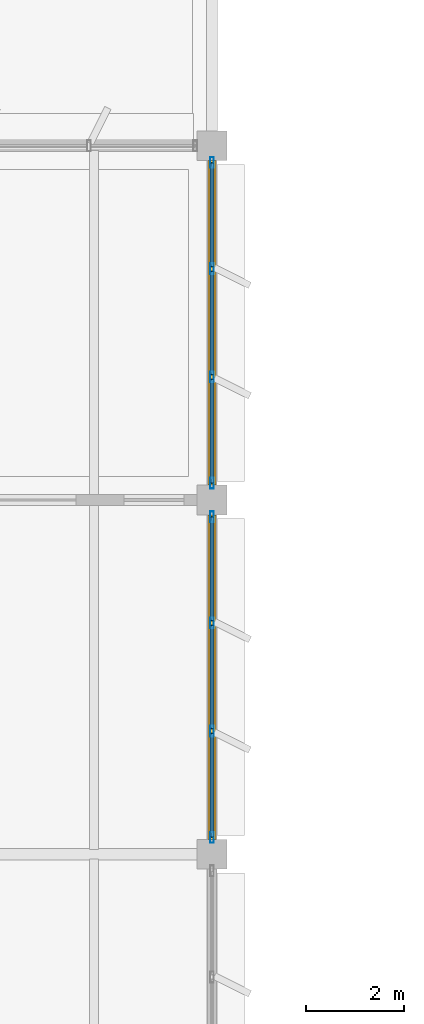
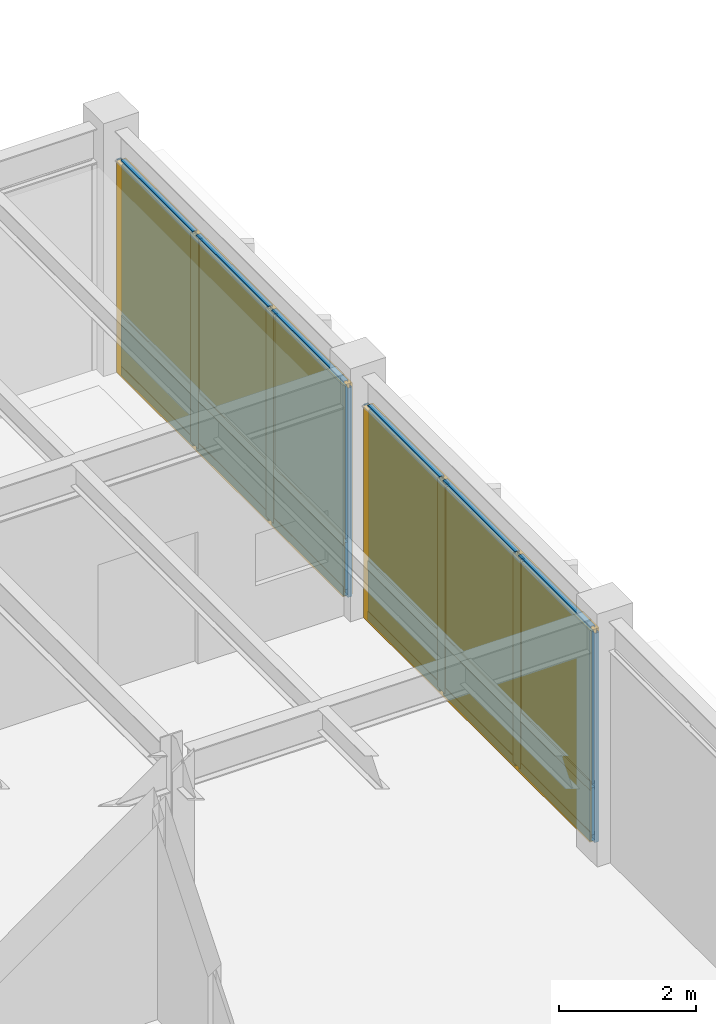
# One storey, part 74 of 92: 26 members, 12 plates, 2 curtain walls.
"""IFC4 building model written with IfcOpenShell, lengths in metres."""

from ifc_helpers import new_model, si_unit, direction, frame, origin, origin_2d, place, context, subcontext, project, spatial, rectangle, hollow_rectangle, extrude, material, layer, layer_set, material_profile, profile_set, type_object, element, aggregate, save


model = new_model("IFC4")

# Units and contexts
model_context = context("Model", 3, precision=1e-05, world=origin(), true_north=direction((0.0, 1.0)))
body_context = subcontext(model_context, "Body", "Model", "MODEL_VIEW")
ifc_project = project(units=[si_unit("LENGTHUNIT", "METRE"), si_unit("AREAUNIT", "SQUARE_METRE"), si_unit("VOLUMEUNIT", "CUBIC_METRE"), si_unit("PLANEANGLEUNIT", "RADIAN"), si_unit("MASSUNIT", "GRAM", prefix="KILO")], contexts=[model_context])

# Member
ifc_material_1 = material(Name="Anodized Aluminium 6063-T6", Category="aluminium")
ifc_material_profile_1 = material_profile(ifc_material_1, hollow_rectangle(XDim=0.074951171875, YDim=0.219970703125, WallThickness=0.0048828125, at=origin_2d()), Name="ALU 75x220x5")
ifc_profile_set_1 = profile_set([ifc_material_profile_1], Name="Anodized Aluminium 6063-T6")
member_type_1 = type_object("IfcMemberType", Name="CWM-75X180", PredefinedType="MULLION", material=ifc_profile_set_1)
site_placement = place(None, origin())
building_placement = place(site_placement, origin())
storey_placement = place(building_placement, frame((0.0, 0.0, 5.39990234375)))
member_1_placement = place(storey_placement, frame((136.800048828125, 71.659912109375, 0.02001953125), z_axis=(0.0, 0.0, 1.0), x_axis=(1.0, 0.0, 0.0)))
member_1 = element("IfcMember", 1, at=member_1_placement, type_object=member_type_1, Name="Curtain wall mullion CW-L02-18-09-E-00", PredefinedType="MULLION", context=body_context, shape_type="SweptSolid", body=[
    extrude(hollow_rectangle(XDim=0.074951171875, YDim=0.219970703125, WallThickness=0.0048828125, at=origin_2d()), origin(), (0.0, 0.0, 1.0), 3.72705078125),
])

member_2_placement = place(storey_placement, frame((136.800048828125, 69.5, 0.02001953125), z_axis=(0.0, 0.0, 1.0), x_axis=(1.0, 0.0, 0.0)))
member_2 = element("IfcMember", 2, at=member_2_placement, type_object=member_type_1, Name="Curtain wall mullion CW-L02-18-09-E-01", PredefinedType="MULLION", context=body_context, shape_type="SweptSolid", body=[
    extrude(hollow_rectangle(XDim=0.074951171875, YDim=0.219970703125, WallThickness=0.0048828125, at=origin_2d()), origin(), (0.0, 0.0, 1.0), 3.72705078125),
])

member_3_placement = place(storey_placement, frame((136.800048828125, 67.300048828125, 0.02001953125), z_axis=(0.0, 0.0, 1.0), x_axis=(1.0, 0.0, 0.0)))
member_3 = element("IfcMember", 3, at=member_3_placement, type_object=member_type_1, Name="Curtain wall mullion CW-L02-18-09-E-02", PredefinedType="MULLION", context=body_context, shape_type="SweptSolid", body=[
    extrude(hollow_rectangle(XDim=0.074951171875, YDim=0.219970703125, WallThickness=0.0048828125, at=origin_2d()), origin(), (0.0, 0.0, 1.0), 3.72705078125),
])

member_4_placement = place(storey_placement, frame((136.800048828125, 65.139892578125, 0.02001953125), z_axis=(0.0, 0.0, 1.0), x_axis=(1.0, 0.0, 0.0)))
member_4 = element("IfcMember", 4, at=member_4_placement, type_object=member_type_1, Name="Curtain wall mullion CW-L02-18-09-E-03", PredefinedType="MULLION", context=body_context, shape_type="SweptSolid", body=[
    extrude(hollow_rectangle(XDim=0.074951171875, YDim=0.219970703125, WallThickness=0.0048828125, at=origin_2d()), origin(), (0.0, 0.0, 1.0), 3.72705078125),
])

member_5_placement = place(storey_placement, frame((136.800048828125, 78.860107421875, 0.02001953125), z_axis=(0.0, 0.0, 1.0), x_axis=(1.0, 0.0, 0.0)))
member_5 = element("IfcMember", 5, at=member_5_placement, type_object=member_type_1, Name="Curtain wall mullion CW-L02-18-10-E-00", PredefinedType="MULLION", context=body_context, shape_type="SweptSolid", body=[
    extrude(hollow_rectangle(XDim=0.074951171875, YDim=0.219970703125, WallThickness=0.0048828125, at=origin_2d()), origin(), (0.0, 0.0, 1.0), 3.72705078125),
])

member_6_placement = place(storey_placement, frame((136.800048828125, 76.699951171875, 0.02001953125), z_axis=(0.0, 0.0, 1.0), x_axis=(1.0, 0.0, 0.0)))
member_6 = element("IfcMember", 6, at=member_6_placement, type_object=member_type_1, Name="Curtain wall mullion CW-L02-18-10-E-01", PredefinedType="MULLION", context=body_context, shape_type="SweptSolid", body=[
    extrude(hollow_rectangle(XDim=0.074951171875, YDim=0.219970703125, WallThickness=0.0048828125, at=origin_2d()), origin(), (0.0, 0.0, 1.0), 3.72705078125),
])

member_7_placement = place(storey_placement, frame((136.800048828125, 74.5, 0.02001953125), z_axis=(0.0, 0.0, 1.0), x_axis=(1.0, 0.0, 0.0)))
member_7 = element("IfcMember", 7, at=member_7_placement, type_object=member_type_1, Name="Curtain wall mullion CW-L02-18-10-E-02", PredefinedType="MULLION", context=body_context, shape_type="SweptSolid", body=[
    extrude(hollow_rectangle(XDim=0.074951171875, YDim=0.219970703125, WallThickness=0.0048828125, at=origin_2d()), origin(), (0.0, 0.0, 1.0), 3.72705078125),
])

member_8_placement = place(storey_placement, frame((136.800048828125, 72.340087890625, 0.02001953125), z_axis=(0.0, 0.0, 1.0), x_axis=(1.0, 0.0, 0.0)))
member_8 = element("IfcMember", 8, at=member_8_placement, type_object=member_type_1, Name="Curtain wall mullion CW-L02-18-10-E-03", PredefinedType="MULLION", context=body_context, shape_type="SweptSolid", body=[
    extrude(hollow_rectangle(XDim=0.074951171875, YDim=0.219970703125, WallThickness=0.0048828125, at=origin_2d()), origin(), (0.0, 0.0, 1.0), 3.72705078125),
])

ifc_material_profile_2 = material_profile(ifc_material_1, hollow_rectangle(XDim=0.074951171875, YDim=0.159912109375, WallThickness=0.00390625, at=origin_2d()), Name="ALU 75x160x4")
ifc_profile_set_2 = profile_set([ifc_material_profile_2], Name="Anodized Aluminium 6063-T6")
member_type_2 = type_object("IfcMemberType", Name="CWT-75X150", PredefinedType="USERDEFINED", material=ifc_profile_set_2)
member_9_placement = place(storey_placement, frame((136.800048828125, 71.64990234375, 0.050048828125), z_axis=(0.0, -1.0, 0.0), x_axis=(1.0, 0.0, 0.0)))
member_9 = element("IfcMember", 9, at=member_9_placement, type_object=member_type_2, Name="Curtain wall transom CW-L02-18-09-E-1.01", ObjectType="TRANSOM", PredefinedType="USERDEFINED", context=body_context, shape_type="SweptSolid", body=[
    extrude(hollow_rectangle(XDim=0.074951171875, YDim=0.159912109375, WallThickness=0.00390625, at=origin_2d()), origin(), (0.0, 0.0, 1.0), 2.099853515625),
])

member_10_placement = place(storey_placement, frame((136.800048828125, 69.449951171875, 0.050048828125), z_axis=(0.0, -1.0, 0.0), x_axis=(1.0, 0.0, 0.0)))
member_10 = element("IfcMember", 10, at=member_10_placement, type_object=member_type_2, Name="Curtain wall transom CW-L02-18-09-E-1.02", ObjectType="TRANSOM", PredefinedType="USERDEFINED", context=body_context, shape_type="SweptSolid", body=[
    extrude(hollow_rectangle(XDim=0.074951171875, YDim=0.159912109375, WallThickness=0.00390625, at=origin_2d()), origin(), (0.0, 0.0, 1.0), 2.099853515625),
])

member_11_placement = place(storey_placement, frame((136.800048828125, 67.25, 0.050048828125), z_axis=(0.0, -1.0, 0.0), x_axis=(1.0, 0.0, 0.0)))
member_11 = element("IfcMember", 11, at=member_11_placement, type_object=member_type_2, Name="Curtain wall transom CW-L02-18-09-E-1.03", ObjectType="TRANSOM", PredefinedType="USERDEFINED", context=body_context, shape_type="SweptSolid", body=[
    extrude(hollow_rectangle(XDim=0.074951171875, YDim=0.159912109375, WallThickness=0.00390625, at=origin_2d()), origin(), (0.0, 0.0, 1.0), 2.10009765625),
])

member_12_placement = place(storey_placement, frame((136.800048828125, 71.64990234375, 0.9501953125), z_axis=(0.0, -1.0, 0.0), x_axis=(1.0, 0.0, 0.0)))
member_12 = element("IfcMember", 12, at=member_12_placement, type_object=member_type_2, Name="Curtain wall transom CW-L02-18-09-E-2.01", ObjectType="TRANSOM", PredefinedType="USERDEFINED", context=body_context, shape_type="SweptSolid", body=[
    extrude(hollow_rectangle(XDim=0.074951171875, YDim=0.159912109375, WallThickness=0.00390625, at=origin_2d()), origin(), (0.0, 0.0, 1.0), 2.099853515625),
])

member_13_placement = place(storey_placement, frame((136.800048828125, 69.449951171875, 0.9501953125), z_axis=(0.0, -1.0, 0.0), x_axis=(1.0, 0.0, 0.0)))
member_13 = element("IfcMember", 13, at=member_13_placement, type_object=member_type_2, Name="Curtain wall transom CW-L02-18-09-E-2.02", ObjectType="TRANSOM", PredefinedType="USERDEFINED", context=body_context, shape_type="SweptSolid", body=[
    extrude(hollow_rectangle(XDim=0.074951171875, YDim=0.159912109375, WallThickness=0.00390625, at=origin_2d()), origin(), (0.0, 0.0, 1.0), 2.099853515625),
])

member_14_placement = place(storey_placement, frame((136.800048828125, 67.25, 0.9501953125), z_axis=(0.0, -1.0, 0.0), x_axis=(1.0, 0.0, 0.0)))
member_14 = element("IfcMember", 14, at=member_14_placement, type_object=member_type_2, Name="Curtain wall transom CW-L02-18-09-E-2.03", ObjectType="TRANSOM", PredefinedType="USERDEFINED", context=body_context, shape_type="SweptSolid", body=[
    extrude(hollow_rectangle(XDim=0.074951171875, YDim=0.159912109375, WallThickness=0.00390625, at=origin_2d()), origin(), (0.0, 0.0, 1.0), 2.10009765625),
])

member_15_placement = place(storey_placement, frame((136.800048828125, 71.64990234375, 3.717041015625), z_axis=(0.0, -1.0, 0.0), x_axis=(1.0, 0.0, 0.0)))
member_15 = element("IfcMember", 15, at=member_15_placement, type_object=member_type_2, Name="Curtain wall transom CW-L02-18-09-E-3.01", ObjectType="TRANSOM", PredefinedType="USERDEFINED", context=body_context, shape_type="SweptSolid", body=[
    extrude(hollow_rectangle(XDim=0.074951171875, YDim=0.159912109375, WallThickness=0.00390625, at=origin_2d()), origin(), (0.0, 0.0, 1.0), 2.099853515625),
])

member_16_placement = place(storey_placement, frame((136.800048828125, 69.449951171875, 3.717041015625), z_axis=(0.0, -1.0, 0.0), x_axis=(1.0, 0.0, 0.0)))
member_16 = element("IfcMember", 16, at=member_16_placement, type_object=member_type_2, Name="Curtain wall transom CW-L02-18-09-E-3.02", ObjectType="TRANSOM", PredefinedType="USERDEFINED", context=body_context, shape_type="SweptSolid", body=[
    extrude(hollow_rectangle(XDim=0.074951171875, YDim=0.159912109375, WallThickness=0.00390625, at=origin_2d()), origin(), (0.0, 0.0, 1.0), 2.099853515625),
])

member_17_placement = place(storey_placement, frame((136.800048828125, 67.25, 3.717041015625), z_axis=(0.0, -1.0, 0.0), x_axis=(1.0, 0.0, 0.0)))
member_17 = element("IfcMember", 17, at=member_17_placement, type_object=member_type_2, Name="Curtain wall transom CW-L02-18-09-E-3.03", ObjectType="TRANSOM", PredefinedType="USERDEFINED", context=body_context, shape_type="SweptSolid", body=[
    extrude(hollow_rectangle(XDim=0.074951171875, YDim=0.159912109375, WallThickness=0.00390625, at=origin_2d()), origin(), (0.0, 0.0, 1.0), 2.10009765625),
])

member_18_placement = place(storey_placement, frame((136.800048828125, 78.85009765625, 0.050048828125), z_axis=(0.0, -1.0, 0.0), x_axis=(1.0, 0.0, 0.0)))
member_18 = element("IfcMember", 18, at=member_18_placement, type_object=member_type_2, Name="Curtain wall transom CW-L02-18-10-E-1.01", ObjectType="TRANSOM", PredefinedType="USERDEFINED", context=body_context, shape_type="SweptSolid", body=[
    extrude(hollow_rectangle(XDim=0.074951171875, YDim=0.159912109375, WallThickness=0.00390625, at=origin_2d()), origin(), (0.0, 0.0, 1.0), 2.10009765625),
])

member_19_placement = place(storey_placement, frame((136.800048828125, 76.64990234375, 0.050048828125), z_axis=(0.0, -1.0, 0.0), x_axis=(1.0, 0.0, 0.0)))
member_19 = element("IfcMember", 19, at=member_19_placement, type_object=member_type_2, Name="Curtain wall transom CW-L02-18-10-E-1.02", ObjectType="TRANSOM", PredefinedType="USERDEFINED", context=body_context, shape_type="SweptSolid", body=[
    extrude(hollow_rectangle(XDim=0.074951171875, YDim=0.159912109375, WallThickness=0.00390625, at=origin_2d()), origin(), (0.0, 0.0, 1.0), 2.099853515625),
])

member_20_placement = place(storey_placement, frame((136.800048828125, 74.449951171875, 0.050048828125), z_axis=(0.0, -1.0, 0.0), x_axis=(1.0, 0.0, 0.0)))
member_20 = element("IfcMember", 20, at=member_20_placement, type_object=member_type_2, Name="Curtain wall transom CW-L02-18-10-E-1.03", ObjectType="TRANSOM", PredefinedType="USERDEFINED", context=body_context, shape_type="SweptSolid", body=[
    extrude(hollow_rectangle(XDim=0.074951171875, YDim=0.159912109375, WallThickness=0.00390625, at=origin_2d()), origin(), (0.0, 0.0, 1.0), 2.099853515625),
])

member_21_placement = place(storey_placement, frame((136.800048828125, 78.85009765625, 0.9501953125), z_axis=(0.0, -1.0, 0.0), x_axis=(1.0, 0.0, 0.0)))
member_21 = element("IfcMember", 21, at=member_21_placement, type_object=member_type_2, Name="Curtain wall transom CW-L02-18-10-E-2.01", ObjectType="TRANSOM", PredefinedType="USERDEFINED", context=body_context, shape_type="SweptSolid", body=[
    extrude(hollow_rectangle(XDim=0.074951171875, YDim=0.159912109375, WallThickness=0.00390625, at=origin_2d()), origin(), (0.0, 0.0, 1.0), 2.10009765625),
])

member_22_placement = place(storey_placement, frame((136.800048828125, 76.64990234375, 0.9501953125), z_axis=(0.0, -1.0, 0.0), x_axis=(1.0, 0.0, 0.0)))
member_22 = element("IfcMember", 22, at=member_22_placement, type_object=member_type_2, Name="Curtain wall transom CW-L02-18-10-E-2.02", ObjectType="TRANSOM", PredefinedType="USERDEFINED", context=body_context, shape_type="SweptSolid", body=[
    extrude(hollow_rectangle(XDim=0.074951171875, YDim=0.159912109375, WallThickness=0.00390625, at=origin_2d()), origin(), (0.0, 0.0, 1.0), 2.099853515625),
])

member_23_placement = place(storey_placement, frame((136.800048828125, 74.449951171875, 0.9501953125), z_axis=(0.0, -1.0, 0.0), x_axis=(1.0, 0.0, 0.0)))
member_23 = element("IfcMember", 23, at=member_23_placement, type_object=member_type_2, Name="Curtain wall transom CW-L02-18-10-E-2.03", ObjectType="TRANSOM", PredefinedType="USERDEFINED", context=body_context, shape_type="SweptSolid", body=[
    extrude(hollow_rectangle(XDim=0.074951171875, YDim=0.159912109375, WallThickness=0.00390625, at=origin_2d()), origin(), (0.0, 0.0, 1.0), 2.099853515625),
])

member_24_placement = place(storey_placement, frame((136.800048828125, 78.85009765625, 3.717041015625), z_axis=(0.0, -1.0, 0.0), x_axis=(1.0, 0.0, 0.0)))
member_24 = element("IfcMember", 24, at=member_24_placement, type_object=member_type_2, Name="Curtain wall transom CW-L02-18-10-E-3.01", ObjectType="TRANSOM", PredefinedType="USERDEFINED", context=body_context, shape_type="SweptSolid", body=[
    extrude(hollow_rectangle(XDim=0.074951171875, YDim=0.159912109375, WallThickness=0.00390625, at=origin_2d()), origin(), (0.0, 0.0, 1.0), 2.10009765625),
])

member_25_placement = place(storey_placement, frame((136.800048828125, 76.64990234375, 3.717041015625), z_axis=(0.0, -1.0, 0.0), x_axis=(1.0, 0.0, 0.0)))
member_25 = element("IfcMember", 25, at=member_25_placement, type_object=member_type_2, Name="Curtain wall transom CW-L02-18-10-E-3.02", ObjectType="TRANSOM", PredefinedType="USERDEFINED", context=body_context, shape_type="SweptSolid", body=[
    extrude(hollow_rectangle(XDim=0.074951171875, YDim=0.159912109375, WallThickness=0.00390625, at=origin_2d()), origin(), (0.0, 0.0, 1.0), 2.099853515625),
])

member_26_placement = place(storey_placement, frame((136.800048828125, 74.449951171875, 3.717041015625), z_axis=(0.0, -1.0, 0.0), x_axis=(1.0, 0.0, 0.0)))
member_26 = element("IfcMember", 26, at=member_26_placement, type_object=member_type_2, Name="Curtain wall transom CW-L02-18-10-E-3.03", ObjectType="TRANSOM", PredefinedType="USERDEFINED", context=body_context, shape_type="SweptSolid", body=[
    extrude(hollow_rectangle(XDim=0.074951171875, YDim=0.159912109375, WallThickness=0.00390625, at=origin_2d()), origin(), (0.0, 0.0, 1.0), 2.099853515625),
])

# Plate
ifc_material_2 = material(Name="Acoustic Laminated Low-E Glazing", Category="glass")
ifc_layer_1 = layer(ifc_material_2, 0.0439453125)
ifc_layer_set_1 = layer_set([ifc_layer_1], Name="Acoustic Laminated Low-E Glazing")
plate_type_1 = type_object("IfcPlateType", Name="CWP-IGU-44", PredefinedType="CURTAIN_PANEL", material=ifc_layer_set_1)
plate_1_placement = place(storey_placement, frame((136.800048828125, 70.60009765625, 0.990234375), z_axis=(0.0, 0.0, 1.0), x_axis=(0.0, -1.0, 0.0)))
plate_1 = element("IfcPlate", 27, at=plate_1_placement, type_object=plate_type_1, Name="Curtain wall vision glazing CW-L02-18-09-E-01", PredefinedType="CURTAIN_PANEL", context=body_context, shape_type="SweptSolid", body=[
    extrude(rectangle(XDim=2.110107421875, YDim=0.0400390625, at=origin_2d()), origin(), (0.0, 0.0, 1.0), 2.717041015625),
])

plate_2_placement = place(storey_placement, frame((136.800048828125, 68.39990234375, 0.990234375), z_axis=(0.0, 0.0, 1.0), x_axis=(0.0, -1.0, 0.0)))
plate_2 = element("IfcPlate", 28, at=plate_2_placement, type_object=plate_type_1, Name="Curtain wall vision glazing CW-L02-18-09-E-02", PredefinedType="CURTAIN_PANEL", context=body_context, shape_type="SweptSolid", body=[
    extrude(rectangle(XDim=2.110107421875, YDim=0.0400390625, at=origin_2d()), origin(), (0.0, 0.0, 1.0), 2.717041015625),
])

plate_3_placement = place(storey_placement, frame((136.800048828125, 66.199951171875, 0.990234375), z_axis=(0.0, 0.0, 1.0), x_axis=(0.0, -1.0, 0.0)))
plate_3 = element("IfcPlate", 29, at=plate_3_placement, type_object=plate_type_1, Name="Curtain wall vision glazing CW-L02-18-09-E-03", PredefinedType="CURTAIN_PANEL", context=body_context, shape_type="SweptSolid", body=[
    extrude(rectangle(XDim=2.110107421875, YDim=0.0400390625, at=origin_2d()), origin(), (0.0, 0.0, 1.0), 2.717041015625),
])

plate_4_placement = place(storey_placement, frame((136.800048828125, 77.800048828125, 0.990234375), z_axis=(0.0, 0.0, 1.0), x_axis=(0.0, -1.0, 0.0)))
plate_4 = element("IfcPlate", 30, at=plate_4_placement, type_object=plate_type_1, Name="Curtain wall vision glazing CW-L02-18-10-E-01", PredefinedType="CURTAIN_PANEL", context=body_context, shape_type="SweptSolid", body=[
    extrude(rectangle(XDim=2.110107421875, YDim=0.0400390625, at=origin_2d()), origin(), (0.0, 0.0, 1.0), 2.717041015625),
])

plate_5_placement = place(storey_placement, frame((136.800048828125, 75.60009765625, 0.990234375), z_axis=(0.0, 0.0, 1.0), x_axis=(0.0, -1.0, 0.0)))
plate_5 = element("IfcPlate", 31, at=plate_5_placement, type_object=plate_type_1, Name="Curtain wall vision glazing CW-L02-18-10-E-02", PredefinedType="CURTAIN_PANEL", context=body_context, shape_type="SweptSolid", body=[
    extrude(rectangle(XDim=2.110107421875, YDim=0.0400390625, at=origin_2d()), origin(), (0.0, 0.0, 1.0), 2.717041015625),
])

plate_6_placement = place(storey_placement, frame((136.800048828125, 73.39990234375, 0.990234375), z_axis=(0.0, 0.0, 1.0), x_axis=(0.0, -1.0, 0.0)))
plate_6 = element("IfcPlate", 32, at=plate_6_placement, type_object=plate_type_1, Name="Curtain wall vision glazing CW-L02-18-10-E-03", PredefinedType="CURTAIN_PANEL", context=body_context, shape_type="SweptSolid", body=[
    extrude(rectangle(XDim=2.110107421875, YDim=0.0400390625, at=origin_2d()), origin(), (0.0, 0.0, 1.0), 2.717041015625),
])

ifc_material_3 = material(Name="Insulated Stone-Composite Spandrel", Category="masonry")
ifc_layer_2 = layer(ifc_material_3, 0.068115234375)
ifc_layer_set_2 = layer_set([ifc_layer_2], Name="Insulated Stone-Composite Spandrel")
plate_type_2 = type_object("IfcPlateType", Name="CWP-SPN-68", PredefinedType="CURTAIN_PANEL", material=ifc_layer_set_2)
plate_7_placement = place(storey_placement, frame((136.800048828125, 70.60009765625, 0.080078125), z_axis=(0.0, 0.0, 1.0), x_axis=(0.0, -1.0, 0.0)))
plate_7 = element("IfcPlate", 33, at=plate_7_placement, type_object=plate_type_2, Name="Curtain wall spandrel panel CW-L02-18-09-E-01", PredefinedType="CURTAIN_PANEL", context=body_context, shape_type="SweptSolid", body=[
    extrude(rectangle(XDim=2.110107421875, YDim=0.06005859375, at=origin_2d()), origin(), (0.0, 0.0, 1.0), 0.840087890625),
])

plate_8_placement = place(storey_placement, frame((136.800048828125, 68.39990234375, 0.080078125), z_axis=(0.0, 0.0, 1.0), x_axis=(0.0, -1.0, 0.0)))
plate_8 = element("IfcPlate", 34, at=plate_8_placement, type_object=plate_type_2, Name="Curtain wall spandrel panel CW-L02-18-09-E-02", PredefinedType="CURTAIN_PANEL", context=body_context, shape_type="SweptSolid", body=[
    extrude(rectangle(XDim=2.110107421875, YDim=0.06005859375, at=origin_2d()), origin(), (0.0, 0.0, 1.0), 0.840087890625),
])

plate_9_placement = place(storey_placement, frame((136.800048828125, 66.199951171875, 0.080078125), z_axis=(0.0, 0.0, 1.0), x_axis=(0.0, -1.0, 0.0)))
plate_9 = element("IfcPlate", 35, at=plate_9_placement, type_object=plate_type_2, Name="Curtain wall spandrel panel CW-L02-18-09-E-03", PredefinedType="CURTAIN_PANEL", context=body_context, shape_type="SweptSolid", body=[
    extrude(rectangle(XDim=2.110107421875, YDim=0.06005859375, at=origin_2d()), origin(), (0.0, 0.0, 1.0), 0.840087890625),
])

plate_10_placement = place(storey_placement, frame((136.800048828125, 77.800048828125, 0.080078125), z_axis=(0.0, 0.0, 1.0), x_axis=(0.0, -1.0, 0.0)))
plate_10 = element("IfcPlate", 36, at=plate_10_placement, type_object=plate_type_2, Name="Curtain wall spandrel panel CW-L02-18-10-E-01", PredefinedType="CURTAIN_PANEL", context=body_context, shape_type="SweptSolid", body=[
    extrude(rectangle(XDim=2.110107421875, YDim=0.06005859375, at=origin_2d()), origin(), (0.0, 0.0, 1.0), 0.840087890625),
])

plate_11_placement = place(storey_placement, frame((136.800048828125, 75.60009765625, 0.080078125), z_axis=(0.0, 0.0, 1.0), x_axis=(0.0, -1.0, 0.0)))
plate_11 = element("IfcPlate", 37, at=plate_11_placement, type_object=plate_type_2, Name="Curtain wall spandrel panel CW-L02-18-10-E-02", PredefinedType="CURTAIN_PANEL", context=body_context, shape_type="SweptSolid", body=[
    extrude(rectangle(XDim=2.110107421875, YDim=0.06005859375, at=origin_2d()), origin(), (0.0, 0.0, 1.0), 0.840087890625),
])

plate_12_placement = place(storey_placement, frame((136.800048828125, 73.39990234375, 0.080078125), z_axis=(0.0, 0.0, 1.0), x_axis=(0.0, -1.0, 0.0)))
plate_12 = element("IfcPlate", 38, at=plate_12_placement, type_object=plate_type_2, Name="Curtain wall spandrel panel CW-L02-18-10-E-03", PredefinedType="CURTAIN_PANEL", context=body_context, shape_type="SweptSolid", body=[
    extrude(rectangle(XDim=2.110107421875, YDim=0.06005859375, at=origin_2d()), origin(), (0.0, 0.0, 1.0), 0.840087890625),
])

# Site, building, storey
site = spatial("IfcSite", under=ifc_project, at=site_placement, CompositionType="ELEMENT")
building = spatial("IfcBuilding", under=site, at=building_placement, Name="Sillqori Civic Hall", CompositionType="ELEMENT")
storey = spatial("IfcBuildingStorey", under=building, at=storey_placement, Name="L02", CompositionType="ELEMENT", Elevation=5.39990234375)

# Curtain wall
ifc_material_4 = material(Name="Anodized Aluminium Curtain Wall System", Category="aluminium")
curtain_wall_type = type_object("IfcCurtainWallType", Name="CW-GL-430", PredefinedType="NOTDEFINED", material=ifc_material_4)
curtain_wall_1_placement = place(storey_placement, frame((136.800048828125, 68.39990234375, 0.0), z_axis=(0.0, 0.0, 1.0), x_axis=(0.0, -1.0, 0.0)))
curtain_wall_1 = element("IfcCurtainWall", 39, at=curtain_wall_1_placement, inside=storey, type_object=curtain_wall_type, Name="L02 unitised curtain wall CW-L02-18-09-E", PredefinedType="NOTDEFINED", context=body_context, shape_type="SweptSolid", body=[
    extrude(rectangle(XDim=6.60009765625, YDim=0.159912109375, at=origin_2d()), origin(), (0.0, 0.0, 1.0), 3.76708984375),
])

aggregate(curtain_wall_1, [member_1, member_2, member_3, member_4, member_9, member_10, member_11, member_12, member_13, member_14, member_15, member_16, member_17, plate_7, plate_1, plate_8, plate_2, plate_9, plate_3])

curtain_wall_2_placement = place(storey_placement, frame((136.800048828125, 75.60009765625, 0.0), z_axis=(0.0, 0.0, 1.0), x_axis=(0.0, -1.0, 0.0)))
curtain_wall_2 = element("IfcCurtainWall", 40, at=curtain_wall_2_placement, inside=storey, type_object=curtain_wall_type, Name="L02 unitised curtain wall CW-L02-18-10-E", PredefinedType="NOTDEFINED", context=body_context, shape_type="SweptSolid", body=[
    extrude(rectangle(XDim=6.60009765625, YDim=0.159912109375, at=origin_2d()), origin(), (0.0, 0.0, 1.0), 3.76708984375),
])

aggregate(curtain_wall_2, [member_5, member_6, member_7, member_8, member_18, member_19, member_20, member_21, member_22, member_23, member_24, member_25, member_26, plate_10, plate_4, plate_11, plate_5, plate_12, plate_6])

save(model, "model.ifc")
